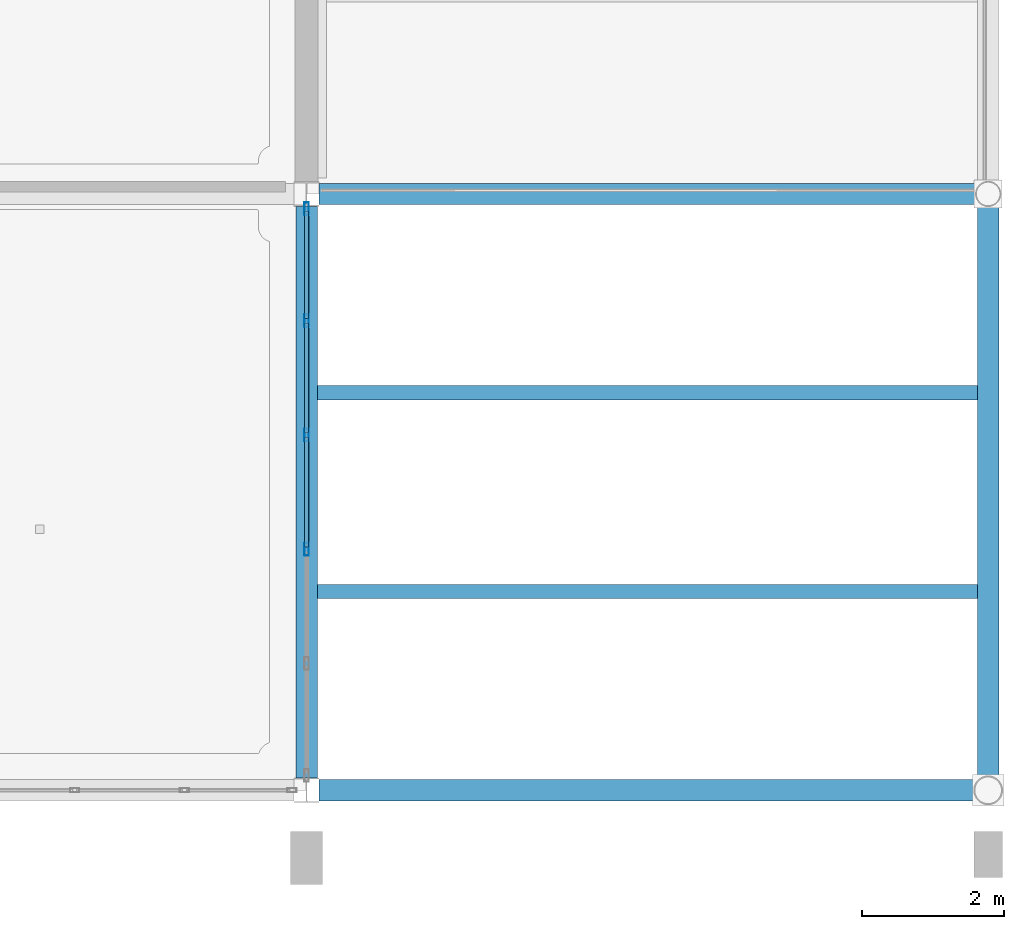
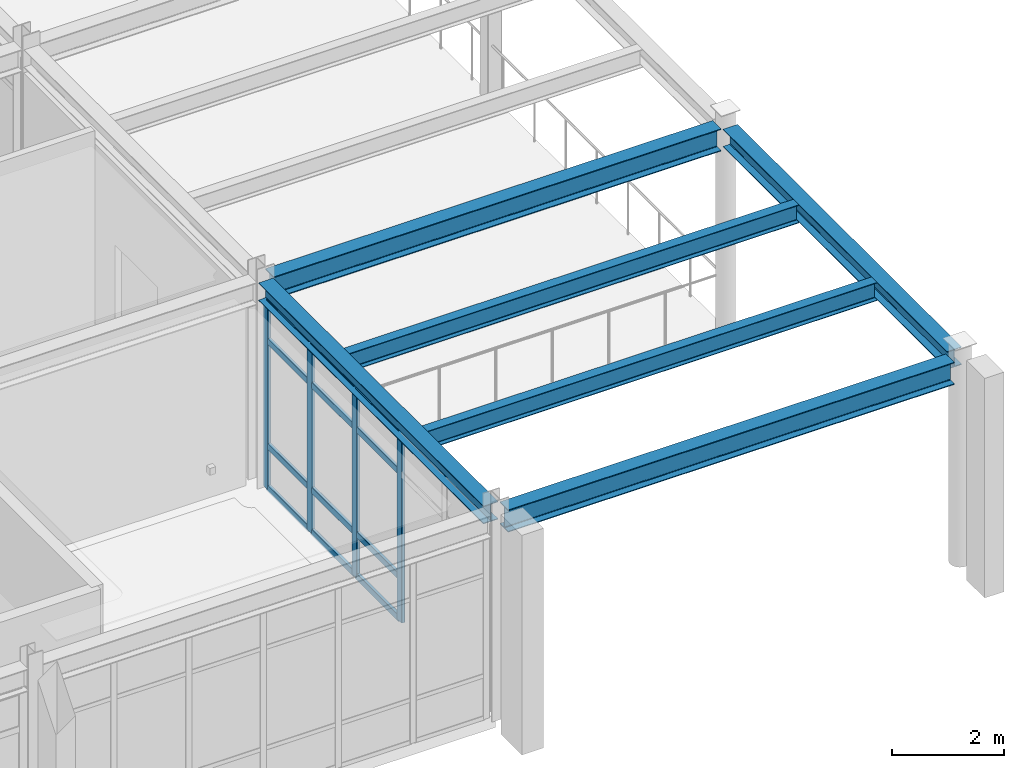
# One storey, part 34 of 139: 16 members, 6 beams, 1 element without a shape of its own.
"""IFC4 building model written with IfcOpenShell, lengths in metres."""

from ifc_helpers import new_model, si_unit, direction, frame, origin, origin_2d, place, context, subcontext, project, spatial, hollow_rectangle, i_section, extrude, material, material_profile, profile_set, type_object, element, aggregate, save


model = new_model("IFC4")

# Units and contexts
model_context = context("Model", 3, precision=1e-05, world=origin(), true_north=direction((0.0, 1.0)))
body_context = subcontext(model_context, "Body", "Model", "MODEL_VIEW")
ifc_project = project(units=[si_unit("LENGTHUNIT", "METRE"), si_unit("AREAUNIT", "SQUARE_METRE"), si_unit("VOLUMEUNIT", "CUBIC_METRE"), si_unit("PLANEANGLEUNIT", "RADIAN"), si_unit("MASSUNIT", "GRAM", prefix="KILO")], contexts=[model_context])

# Site, building, storey
site_placement = place(None, origin())
site = spatial("IfcSite", under=ifc_project, at=site_placement, CompositionType="ELEMENT")
building_placement = place(site_placement, origin())
building = spatial("IfcBuilding", under=site, at=building_placement, Name="Canglan Escarpment Cableway Terminal", CompositionType="ELEMENT")
storey_placement = place(building_placement, frame((0.0, 0.0, 14.39990234375)))
storey = spatial("IfcBuildingStorey", under=building, at=storey_placement, Name="L03", CompositionType="ELEMENT", Elevation=14.39990234375)

# Beams
ifc_material_1 = material(Name="Steel Q355B", Category="steel")
ifc_material_profile_1 = material_profile(ifc_material_1, i_section(OverallWidth=0.300048828125, OverallDepth=0.389892578125, WebThickness=0.010009765625, FlangeThickness=0.01611328125, FilletRadius=0.02197265625, at=origin_2d()), Name="HM 390x300x10x16")
ifc_profile_set_1 = profile_set([ifc_material_profile_1], Name="Steel Q355B")
beam_type_1 = type_object("IfcBeamType", Name="BM-ARCH-TOP-HM390", PredefinedType="BEAM", material=ifc_profile_set_1)
beam_1_placement = place(storey_placement, frame((166.39990234375, 8.175048828125, 4.30517578125), z_axis=(0.0, 1.0, 0.0), x_axis=(-1.0, 0.0, 0.0)))
element("IfcBeam", 1, at=beam_1_placement, inside=storey, type_object=beam_type_1, Name="Primary transverse girder AR-TC1", PredefinedType="BEAM", context=body_context, shape_type="SweptSolid", body=[
    extrude(i_section(OverallWidth=0.300048828125, OverallDepth=0.389892578125, WebThickness=0.010009765625, FlangeThickness=0.01611328125, FilletRadius=0.02197265625, at=origin_2d()), origin(), (0.0, 0.0, 1.0), 8.050048828125),
])
beam_2_placement = place(storey_placement, frame((176.0, 8.203125, 4.30517578125), z_axis=(0.0, 1.0, 0.0), x_axis=(-1.0, 0.0, 0.0)))
element("IfcBeam", 2, at=beam_2_placement, inside=storey, type_object=beam_type_1, Name="Primary transverse girder AR-TC1", PredefinedType="BEAM", context=body_context, shape_type="SweptSolid", body=[
    extrude(i_section(OverallWidth=0.300048828125, OverallDepth=0.389892578125, WebThickness=0.010009765625, FlangeThickness=0.01611328125, FilletRadius=0.02197265625, at=origin_2d()), origin(), (0.0, 0.0, 1.0), 8.01904296875),
])
ifc_material_profile_2 = material_profile(ifc_material_1, i_section(OverallWidth=0.300048828125, OverallDepth=0.488037109375, WebThickness=0.010986328125, FlangeThickness=0.01806640625, FilletRadius=0.02587890625, at=origin_2d()), Name="HM 488x300x11x18")
ifc_profile_set_2 = profile_set([ifc_material_profile_2], Name="Steel Q355B")
beam_type_2 = type_object("IfcBeamType", Name="BM-HM488", PredefinedType="BEAM", material=ifc_profile_set_2)
beam_3_placement = place(storey_placement, frame((166.574951171875, 8.0, 4.256103515625), z_axis=(1.0, 0.0, 0.0), x_axis=(0.0, 1.0, 0.0)))
element("IfcBeam", 3, at=beam_3_placement, inside=storey, type_object=beam_type_2, Name="Primary structural girder B-09", PredefinedType="BEAM", context=body_context, shape_type="SweptSolid", body=[
    extrude(i_section(OverallWidth=0.300048828125, OverallDepth=0.488037109375, WebThickness=0.010986328125, FlangeThickness=0.01806640625, FilletRadius=0.02587890625, at=origin_2d()), origin(), (0.0, 0.0, 1.0), 9.221923828125),
])
beam_4_placement = place(storey_placement, frame((166.574951171875, 16.39990234375, 4.256103515625), z_axis=(1.0, 0.0, 0.0), x_axis=(0.0, 1.0, 0.0)))
element("IfcBeam", 4, at=beam_4_placement, inside=storey, type_object=beam_type_2, Name="Primary structural girder B-09", PredefinedType="BEAM", context=body_context, shape_type="SweptSolid", body=[
    extrude(i_section(OverallWidth=0.300048828125, OverallDepth=0.488037109375, WebThickness=0.010986328125, FlangeThickness=0.01806640625, FilletRadius=0.02587890625, at=origin_2d()), origin(), (0.0, 0.0, 1.0), 9.247314453125),
])

# Curtain wall, members
ifc_material_2 = material(Name="Anodized bronze aluminium and Low-E double glazing", Category="aluminium")
curtain_wall_type = type_object("IfcCurtainWallType", Name="CW-BAY-8050x4100", PredefinedType="NOTDEFINED", material=ifc_material_2)
curtain_wall_placement = place(storey_placement, origin())
curtain_wall = element("IfcCurtainWall", 5, at=curtain_wall_placement, inside=storey, type_object=curtain_wall_type, Name="Classical bay-between-piers glazed curtain wall CW-30", PredefinedType="NOTDEFINED")
ifc_material_3 = material(Name="Thermally broken anodized aluminium 6063-T6", Category="aluminium")
ifc_material_profile_3 = material_profile(ifc_material_3, hollow_rectangle(XDim=0.06494140625, YDim=0.179931640625, WallThickness=0.00390625, InnerFilletRadius=0.00390625, OuterFilletRadius=0.008056640625, at=origin_2d()), Name="ALU-MULL 65x180x4")
ifc_profile_set_3 = profile_set([ifc_material_profile_3], Name="Thermally broken anodized aluminium 6063-T6")
member_type_1 = type_object("IfcMemberType", Name="CWM-03", PredefinedType="MULLION", material=ifc_profile_set_3)
member_1_placement = place(storey_placement, frame((166.39990234375, 11.39501953125, 0.0), z_axis=(0.0, 0.0, 1.0), x_axis=(-1.0, 0.0, 0.0)))
member_1 = element("IfcMember", 6, at=member_1_placement, type_object=member_type_1, Name="CW-30 mullion 3", PredefinedType="MULLION", context=body_context, shape_type="SweptSolid", body=[
    extrude(hollow_rectangle(XDim=0.06494140625, YDim=0.179931640625, WallThickness=0.00390625, InnerFilletRadius=0.00390625, OuterFilletRadius=0.008056640625, at=origin_2d()), origin(), (0.0, 0.0, 1.0), 4.09521484375),
])
member_2_placement = place(storey_placement, frame((166.39990234375, 13.0048828125, 0.0), z_axis=(0.0, 0.0, 1.0), x_axis=(-1.0, 0.0, 0.0)))
member_2 = element("IfcMember", 7, at=member_2_placement, type_object=member_type_1, Name="CW-30 mullion 4", PredefinedType="MULLION", context=body_context, shape_type="SweptSolid", body=[
    extrude(hollow_rectangle(XDim=0.06494140625, YDim=0.179931640625, WallThickness=0.00390625, InnerFilletRadius=0.00390625, OuterFilletRadius=0.008056640625, at=origin_2d()), origin(), (0.0, 0.0, 1.0), 4.09521484375),
])
member_3_placement = place(storey_placement, frame((166.39990234375, 14.614990234375, 0.0), z_axis=(0.0, 0.0, 1.0), x_axis=(-1.0, 0.0, 0.0)))
member_3 = element("IfcMember", 8, at=member_3_placement, type_object=member_type_1, Name="CW-30 mullion 5", PredefinedType="MULLION", context=body_context, shape_type="SweptSolid", body=[
    extrude(hollow_rectangle(XDim=0.06494140625, YDim=0.179931640625, WallThickness=0.00390625, InnerFilletRadius=0.00390625, OuterFilletRadius=0.008056640625, at=origin_2d()), origin(), (0.0, 0.0, 1.0), 4.09521484375),
])
member_4_placement = place(storey_placement, frame((166.39990234375, 16.1923828125, 0.0), z_axis=(0.0, 0.0, 1.0), x_axis=(-1.0, 0.0, 0.0)))
member_4 = element("IfcMember", 9, at=member_4_placement, type_object=member_type_1, Name="CW-30 mullion 6", PredefinedType="MULLION", context=body_context, shape_type="SweptSolid", body=[
    extrude(hollow_rectangle(XDim=0.06494140625, YDim=0.179931640625, WallThickness=0.00390625, InnerFilletRadius=0.00390625, OuterFilletRadius=0.008056640625, at=origin_2d()), origin(), (0.0, 0.0, 1.0), 4.09521484375),
])
ifc_material_profile_4 = material_profile(ifc_material_3, hollow_rectangle(XDim=0.06494140625, YDim=0.139892578125, WallThickness=0.00341796875, InnerFilletRadius=0.00341796875, OuterFilletRadius=0.007080078125, at=origin_2d()), Name="ALU-TRAN 65x140x3.5")
ifc_profile_set_4 = profile_set([ifc_material_profile_4], Name="Thermally broken anodized aluminium 6063-T6")
member_type_2 = type_object("IfcMemberType", Name="CWT-03", PredefinedType="USERDEFINED", material=ifc_profile_set_4)
member_5_placement = place(storey_placement, frame((166.39990234375, 11.427490234375, 0.03271484375), z_axis=(0.0, 1.0, 0.0), x_axis=(-1.0, 0.0, 0.0)))
member_5 = element("IfcMember", 10, at=member_5_placement, type_object=member_type_2, Name="CW-30 transom 3.1", ObjectType="TRANSOM", PredefinedType="USERDEFINED", context=body_context, shape_type="SweptSolid", body=[
    extrude(hollow_rectangle(XDim=0.06494140625, YDim=0.139892578125, WallThickness=0.00341796875, InnerFilletRadius=0.00341796875, OuterFilletRadius=0.007080078125, at=origin_2d()), origin(), (0.0, 0.0, 1.0), 1.544921875),
])
member_6_placement = place(storey_placement, frame((166.39990234375, 11.427490234375, 0.9501953125), z_axis=(0.0, 1.0, 0.0), x_axis=(-1.0, 0.0, 0.0)))
member_6 = element("IfcMember", 11, at=member_6_placement, type_object=member_type_2, Name="CW-30 transom 3.2", ObjectType="TRANSOM", PredefinedType="USERDEFINED", context=body_context, shape_type="SweptSolid", body=[
    extrude(hollow_rectangle(XDim=0.06494140625, YDim=0.139892578125, WallThickness=0.00341796875, InnerFilletRadius=0.00341796875, OuterFilletRadius=0.007080078125, at=origin_2d()), origin(), (0.0, 0.0, 1.0), 1.544921875),
])
member_7_placement = place(storey_placement, frame((166.39990234375, 11.427490234375, 3.2451171875), z_axis=(0.0, 1.0, 0.0), x_axis=(-1.0, 0.0, 0.0)))
member_7 = element("IfcMember", 12, at=member_7_placement, type_object=member_type_2, Name="CW-30 transom 3.3", ObjectType="TRANSOM", PredefinedType="USERDEFINED", context=body_context, shape_type="SweptSolid", body=[
    extrude(hollow_rectangle(XDim=0.06494140625, YDim=0.139892578125, WallThickness=0.00341796875, InnerFilletRadius=0.00341796875, OuterFilletRadius=0.007080078125, at=origin_2d()), origin(), (0.0, 0.0, 1.0), 1.544921875),
])
member_8_placement = place(storey_placement, frame((166.39990234375, 11.427490234375, 4.0625), z_axis=(0.0, 1.0, 0.0), x_axis=(-1.0, 0.0, 0.0)))
member_8 = element("IfcMember", 13, at=member_8_placement, type_object=member_type_2, Name="CW-30 transom 3.4", ObjectType="TRANSOM", PredefinedType="USERDEFINED", context=body_context, shape_type="SweptSolid", body=[
    extrude(hollow_rectangle(XDim=0.06494140625, YDim=0.139892578125, WallThickness=0.00341796875, InnerFilletRadius=0.00341796875, OuterFilletRadius=0.007080078125, at=origin_2d()), origin(), (0.0, 0.0, 1.0), 1.544921875),
])
member_9_placement = place(storey_placement, frame((166.39990234375, 13.03759765625, 0.03271484375), z_axis=(0.0, 1.0, 0.0), x_axis=(-1.0, 0.0, 0.0)))
member_9 = element("IfcMember", 14, at=member_9_placement, type_object=member_type_2, Name="CW-30 transom 4.1", ObjectType="TRANSOM", PredefinedType="USERDEFINED", context=body_context, shape_type="SweptSolid", body=[
    extrude(hollow_rectangle(XDim=0.06494140625, YDim=0.139892578125, WallThickness=0.00341796875, InnerFilletRadius=0.00341796875, OuterFilletRadius=0.007080078125, at=origin_2d()), origin(), (0.0, 0.0, 1.0), 1.544921875),
])
member_10_placement = place(storey_placement, frame((166.39990234375, 13.03759765625, 0.9501953125), z_axis=(0.0, 1.0, 0.0), x_axis=(-1.0, 0.0, 0.0)))
member_10 = element("IfcMember", 15, at=member_10_placement, type_object=member_type_2, Name="CW-30 transom 4.2", ObjectType="TRANSOM", PredefinedType="USERDEFINED", context=body_context, shape_type="SweptSolid", body=[
    extrude(hollow_rectangle(XDim=0.06494140625, YDim=0.139892578125, WallThickness=0.00341796875, InnerFilletRadius=0.00341796875, OuterFilletRadius=0.007080078125, at=origin_2d()), origin(), (0.0, 0.0, 1.0), 1.544921875),
])
member_11_placement = place(storey_placement, frame((166.39990234375, 13.03759765625, 3.2451171875), z_axis=(0.0, 1.0, 0.0), x_axis=(-1.0, 0.0, 0.0)))
member_11 = element("IfcMember", 16, at=member_11_placement, type_object=member_type_2, Name="CW-30 transom 4.3", ObjectType="TRANSOM", PredefinedType="USERDEFINED", context=body_context, shape_type="SweptSolid", body=[
    extrude(hollow_rectangle(XDim=0.06494140625, YDim=0.139892578125, WallThickness=0.00341796875, InnerFilletRadius=0.00341796875, OuterFilletRadius=0.007080078125, at=origin_2d()), origin(), (0.0, 0.0, 1.0), 1.544921875),
])
member_12_placement = place(storey_placement, frame((166.39990234375, 13.03759765625, 4.0625), z_axis=(0.0, 1.0, 0.0), x_axis=(-1.0, 0.0, 0.0)))
member_12 = element("IfcMember", 17, at=member_12_placement, type_object=member_type_2, Name="CW-30 transom 4.4", ObjectType="TRANSOM", PredefinedType="USERDEFINED", context=body_context, shape_type="SweptSolid", body=[
    extrude(hollow_rectangle(XDim=0.06494140625, YDim=0.139892578125, WallThickness=0.00341796875, InnerFilletRadius=0.00341796875, OuterFilletRadius=0.007080078125, at=origin_2d()), origin(), (0.0, 0.0, 1.0), 1.544921875),
])
member_13_placement = place(storey_placement, frame((166.39990234375, 14.6474609375, 0.03271484375), z_axis=(0.0, 1.0, 0.0), x_axis=(-1.0, 0.0, 0.0)))
member_13 = element("IfcMember", 18, at=member_13_placement, type_object=member_type_2, Name="CW-30 transom 5.1", ObjectType="TRANSOM", PredefinedType="USERDEFINED", context=body_context, shape_type="SweptSolid", body=[
    extrude(hollow_rectangle(XDim=0.06494140625, YDim=0.139892578125, WallThickness=0.00341796875, InnerFilletRadius=0.00341796875, OuterFilletRadius=0.007080078125, at=origin_2d()), origin(), (0.0, 0.0, 1.0), 1.512451171875),
])
member_14_placement = place(storey_placement, frame((166.39990234375, 14.6474609375, 0.9501953125), z_axis=(0.0, 1.0, 0.0), x_axis=(-1.0, 0.0, 0.0)))
member_14 = element("IfcMember", 19, at=member_14_placement, type_object=member_type_2, Name="CW-30 transom 5.2", ObjectType="TRANSOM", PredefinedType="USERDEFINED", context=body_context, shape_type="SweptSolid", body=[
    extrude(hollow_rectangle(XDim=0.06494140625, YDim=0.139892578125, WallThickness=0.00341796875, InnerFilletRadius=0.00341796875, OuterFilletRadius=0.007080078125, at=origin_2d()), origin(), (0.0, 0.0, 1.0), 1.512451171875),
])
member_15_placement = place(storey_placement, frame((166.39990234375, 14.6474609375, 3.2451171875), z_axis=(0.0, 1.0, 0.0), x_axis=(-1.0, 0.0, 0.0)))
member_15 = element("IfcMember", 20, at=member_15_placement, type_object=member_type_2, Name="CW-30 transom 5.3", ObjectType="TRANSOM", PredefinedType="USERDEFINED", context=body_context, shape_type="SweptSolid", body=[
    extrude(hollow_rectangle(XDim=0.06494140625, YDim=0.139892578125, WallThickness=0.00341796875, InnerFilletRadius=0.00341796875, OuterFilletRadius=0.007080078125, at=origin_2d()), origin(), (0.0, 0.0, 1.0), 1.512451171875),
])
member_16_placement = place(storey_placement, frame((166.39990234375, 14.6474609375, 4.0625), z_axis=(0.0, 1.0, 0.0), x_axis=(-1.0, 0.0, 0.0)))
member_16 = element("IfcMember", 21, at=member_16_placement, type_object=member_type_2, Name="CW-30 transom 5.4", ObjectType="TRANSOM", PredefinedType="USERDEFINED", context=body_context, shape_type="SweptSolid", body=[
    extrude(hollow_rectangle(XDim=0.06494140625, YDim=0.139892578125, WallThickness=0.00341796875, InnerFilletRadius=0.00341796875, OuterFilletRadius=0.007080078125, at=origin_2d()), origin(), (0.0, 0.0, 1.0), 1.512451171875),
])
aggregate(curtain_wall, [member_1, member_2, member_3, member_4, member_5, member_6, member_7, member_8, member_9, member_10, member_11, member_12, member_13, member_14, member_15, member_16])

# Beams
ifc_material_profile_5 = material_profile(ifc_material_1, i_section(OverallWidth=0.199951171875, OverallDepth=0.39990234375, WebThickness=0.008056640625, FlangeThickness=0.012939453125, FilletRadius=0.01611328125, at=origin_2d()), Name="HN 400x200x8x13")
ifc_profile_set_5 = profile_set([ifc_material_profile_5], Name="Steel Q355B")
beam_type_3 = type_object("IfcBeamType", Name="JS-HN400", PredefinedType="JOIST", material=ifc_profile_set_5)
for number, where, z_axis, x_axis, name in (
    (22, (166.550048828125, 10.800048828125, 4.300048828125), (1.0, 0.0, 0.0), (0.0, 1.0, 0.0), "Secondary composite deck joist J-03"),
    (23, (166.550048828125, 13.60009765625, 4.300048828125), (1.0, 0.0, 0.0), (0.0, 1.0, 0.0), "Secondary composite deck joist J-03"),
):
    element("IfcBeam", number, at=place(storey_placement, frame(where, z_axis=z_axis, x_axis=x_axis)), inside=storey, type_object=beam_type_3, Name=name, PredefinedType="JOIST", context=body_context, shape_type="SweptSolid", body=[
        extrude(i_section(OverallWidth=0.199951171875, OverallDepth=0.39990234375, WebThickness=0.008056640625, FlangeThickness=0.012939453125, FilletRadius=0.01611328125, at=origin_2d()), origin(), (0.0, 0.0, 1.0), 9.300048828125),
    ])

save(model, "model.ifc")
